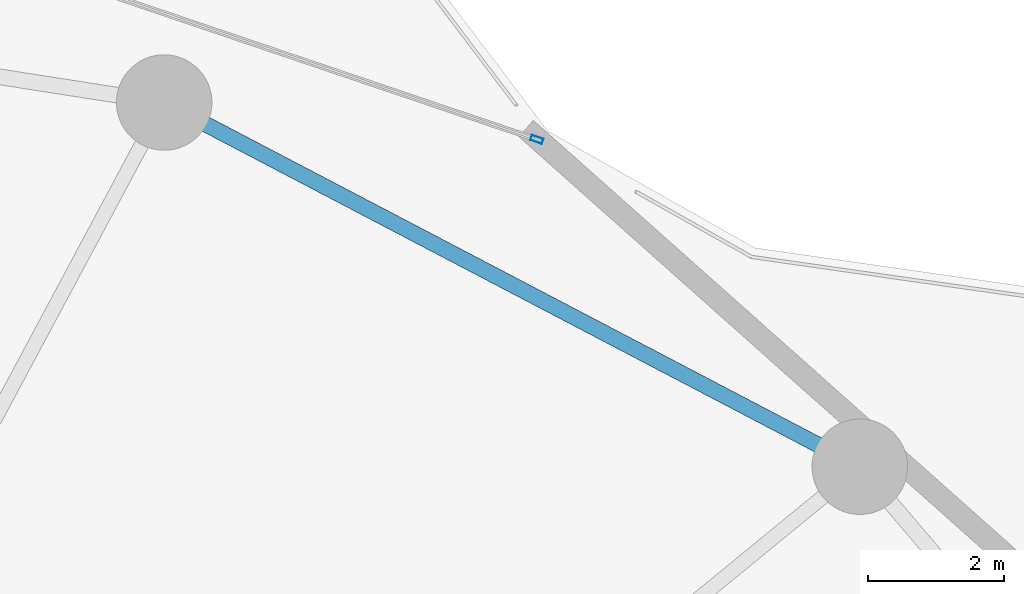
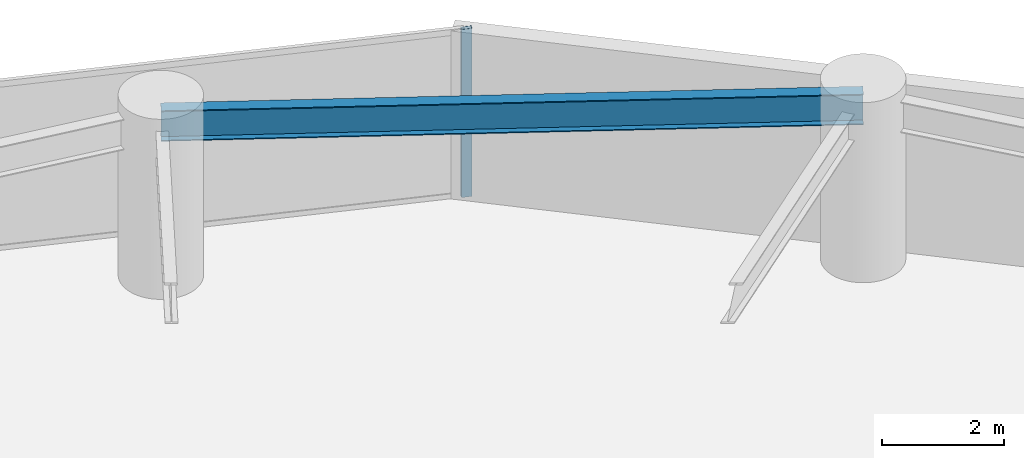
# One storey, part 22 of 31: 1 beam, 1 member, 1 element without a shape of its own.
"""IFC4 building model written with IfcOpenShell, lengths in metres."""

from ifc_helpers import new_model, si_unit, direction, frame, origin, origin_2d, place, context, subcontext, project, spatial, hollow_rectangle, i_section, extrude, material, layer, layer_set, material_profile, profile_set, type_object, element, aggregate, save


model = new_model("IFC4")

# Units and contexts
model_context = context("Model", 3, precision=1e-05, world=origin(), true_north=direction((0.0, 1.0)))
body_context = subcontext(model_context, "Body", "Model", "MODEL_VIEW")
ifc_project = project(units=[si_unit("LENGTHUNIT", "METRE"), si_unit("AREAUNIT", "SQUARE_METRE"), si_unit("VOLUMEUNIT", "CUBIC_METRE"), si_unit("PLANEANGLEUNIT", "RADIAN"), si_unit("MASSUNIT", "GRAM", prefix="KILO")], contexts=[model_context])

# Site, building, storey
site_placement = place(None, origin())
site = spatial("IfcSite", under=ifc_project, at=site_placement, CompositionType="ELEMENT")
building_placement = place(site_placement, origin())
building = spatial("IfcBuilding", under=site, at=building_placement, Name="Kazevale Care Tower and Concert Hall", CompositionType="ELEMENT")
storey_placement = place(building_placement, frame((0.0, 0.0, 78.0)))
storey = spatial("IfcBuildingStorey", under=building, at=storey_placement, Name="L20", CompositionType="ELEMENT", Elevation=78.0)

# Curtain wall, member
ifc_material_1 = material(Name="Aluminium 6063-T6 and Low-E Glass", Category="aluminium")
ifc_layer = layer(ifc_material_1, 0.179931640625)
ifc_layer_set = layer_set([ifc_layer], Name="Aluminium 6063-T6 and Low-E Glass")
curtain_wall_type = type_object("IfcCurtainWallType", Name="Convex Checkerboard Finned Curtain Wall CW-2", PredefinedType="NOTDEFINED", material=ifc_layer_set)
curtain_wall_placement = place(storey_placement, origin())
curtain_wall = element("IfcCurtainWall", 1, at=curtain_wall_placement, inside=storey, type_object=curtain_wall_type, Name="cw:L20:f16", PredefinedType="NOTDEFINED")
ifc_material_2 = material(Name="Aluminium 6063-T6", Category="aluminium")
ifc_material_profile_1 = material_profile(ifc_material_2, hollow_rectangle(XDim=0.080078125, YDim=0.179931640625, WallThickness=0.0048828125, at=origin_2d()), Name="ALU80x180x5")
ifc_profile_set_1 = profile_set([ifc_material_profile_1], Name="Aluminium 6063-T6")
member_type = type_object("IfcMemberType", Name="CW-2 Mullion ALU80x180x5", PredefinedType="MULLION", material=ifc_profile_set_1)
member_placement = place(storey_placement, frame((62.504150390625, 60.227783203125, 0.0), z_axis=(0.0, 0.0, 1.0), x_axis=(0.320635577685, 0.947202632135, 0.0)))
member = element("IfcMember", 2, at=member_placement, type_object=member_type, Name="CW-2 mullion 2", PredefinedType="MULLION", context=body_context, shape_type="SweptSolid", body=[
    extrude(hollow_rectangle(XDim=0.080078125, YDim=0.179931640625, WallThickness=0.0048828125, at=origin_2d()), origin(), (0.0, 0.0, 1.0), 3.360107421875),
])
aggregate(curtain_wall, [member])

# Beam
ifc_material_3 = material(Name="Steel ASTM A572 Gr 50", Category="steel")
ifc_material_profile_2 = material_profile(ifc_material_3, i_section(OverallWidth=0.22900390625, OverallDepth=0.612060546875, WebThickness=0.011962890625, FlangeThickness=0.01953125, at=origin_2d()), Name="W610x125")
ifc_profile_set_2 = profile_set([ifc_material_profile_2], Name="Steel ASTM A572 Gr 50")
beam_type = type_object("IfcBeamType", Name="Ring Spandrel Beam W610x125", PredefinedType="SPANDREL", material=ifc_profile_set_2)
beam_placement = place(storey_placement, frame((67.239990234375, 55.429931640625, 3.053955078125), z_axis=(-0.885929466679, 0.463819986708, 0.0), x_axis=(-0.463819986708, -0.885929466679, 0.0)))
element("IfcBeam", 3, at=beam_placement, inside=storey, type_object=beam_type, Name="beam:L20:ring:03", PredefinedType="SPANDREL", context=body_context, shape_type="SweptSolid", body=[
    extrude(i_section(OverallWidth=0.22900390625, OverallDepth=0.612060546875, WebThickness=0.011962890625, FlangeThickness=0.01953125, at=origin_2d()), origin(), (0.0, 0.0, 1.0), 11.51318359375),
])

save(model, "model.ifc")
